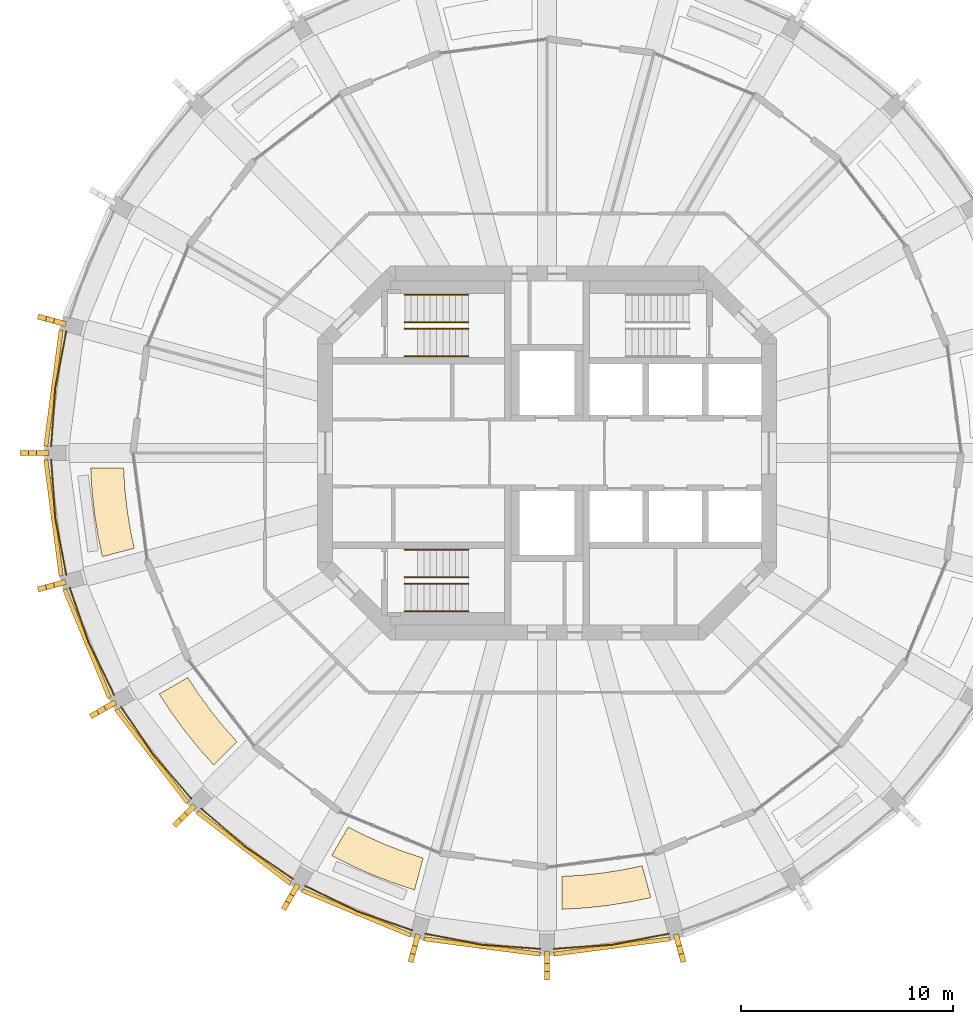
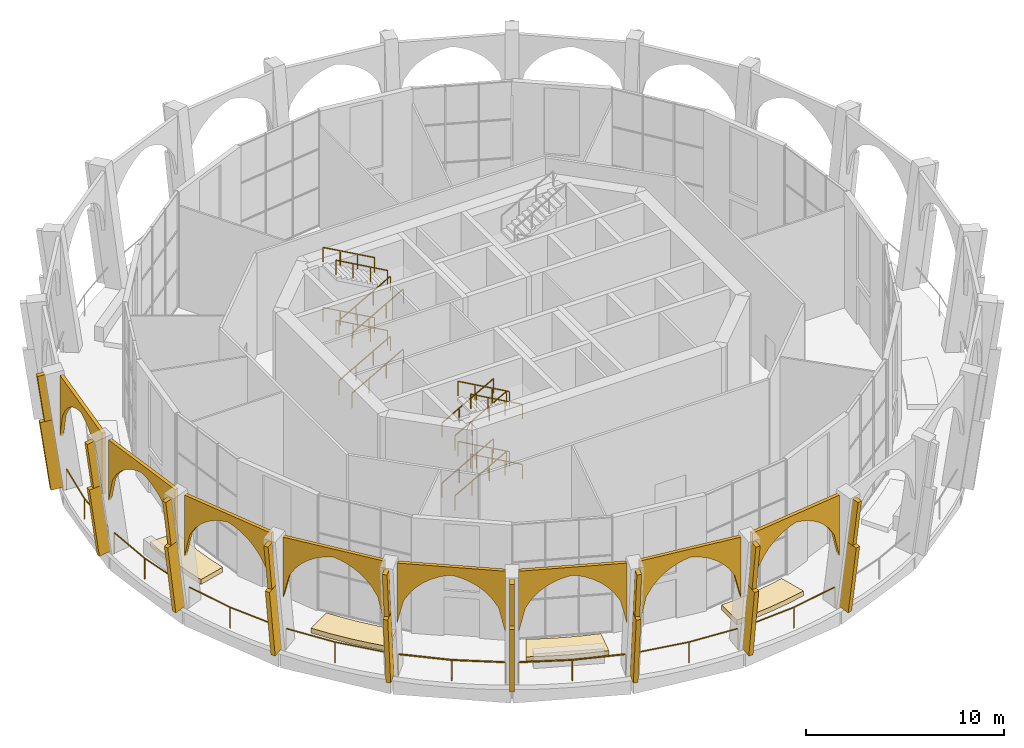
# One storey, part 14 of 16: 30 coverings, 24 railings.
"""IFC4 building model written with IfcOpenShell, lengths in metres."""

import ifcopenshell
import ifcopenshell.guid

model = None  # the IFC model being written
_history = None  # IfcOwnerHistory: only IFC2X3 demands one
_inside = {}  # id of a spatial element -> (the spatial element, [elements in it])
_under = {}  # id of a project, library or spatial element -> (it, [spatial elements below it])
_declared = {}  # id of a project -> (the project, [libraries it declares])
_typed = {}  # id of a type object -> (the type object, [elements of that type])
_made_of = {}  # id of a material, layer set ... -> (it, [elements and type objects made of it])


def new_model(schema):
    """Start an empty IFC model of exactly this schema.

    Asked for "IFC4X3", IfcOpenShell would pick the latest addendum, in which some entities
    have other attributes; the version numbers below select the first issue.
    IFC2X3 requires an IfcOwnerHistory on every rooted entity: one is made here for all.
    """
    global model, _history
    if schema == "IFC4X3":
        model = ifcopenshell.file(schema_version=(4, 3, 0, 0))
    else:
        model = ifcopenshell.file(schema=schema)
    _inside.clear()
    _under.clear()
    _declared.clear()
    _typed.clear()
    _made_of.clear()
    _history = None
    if model.schema == "IFC2X3":
        org = make("IfcOrganization", Name="unknown")
        user = make(
            "IfcPersonAndOrganization",
            ThePerson=make("IfcPerson", FamilyName="unknown"),
            TheOrganization=org,
        )
        app = make(
            "IfcApplication",
            ApplicationDeveloper=org,
            Version="unknown",
            ApplicationFullName="unknown",
            ApplicationIdentifier="unknown",
        )
        _history = make(
            "IfcOwnerHistory",
            OwningUser=user,
            OwningApplication=app,
            ChangeAction="ADDED",
            CreationDate=0,
        )
    return model


def make(cls, **values):
    """One entity of the class cls with the attributes given. An attribute that is None is left unset."""
    return model.create_entity(
        cls, **{name: value for name, value in values.items() if value is not None}
    )


def rooted(cls, **values):
    """An entity with a GlobalId (a new one), such as an element, a storey or a relation."""
    return make(cls, GlobalId=ifcopenshell.guid.new(), OwnerHistory=_history, **values)


def si_unit(unit_type, name, prefix=None):
    """IfcSIUnit, for example si_unit("LENGTHUNIT", "METRE", prefix="MILLI")."""
    return make("IfcSIUnit", UnitType=unit_type, Prefix=prefix, Name=name)


def assignment(units):
    """IfcUnitAssignment: the units of a project."""
    return None if units is None else make("IfcUnitAssignment", Units=units)


def point(xyz):
    """IfcCartesianPoint."""
    return None if xyz is None else make("IfcCartesianPoint", Coordinates=xyz)


def direction(xyz):
    """IfcDirection."""
    return None if xyz is None else make("IfcDirection", DirectionRatios=xyz)


def frame(location, z_axis=None, x_axis=None):
    """IfcAxis2Placement3D, a coordinate frame: its origin and axes. An axis left out is left unset."""
    return make(
        "IfcAxis2Placement3D",
        Location=point(location),
        Axis=direction(z_axis),
        RefDirection=direction(x_axis),
    )


def frame_2d(location, x_axis=None):
    """IfcAxis2Placement2D, a coordinate frame in the plane: its origin and x axis."""
    return make(
        "IfcAxis2Placement2D", Location=point(location), RefDirection=direction(x_axis)
    )


def origin():
    """The frame at (0, 0, 0) with its axes left unset."""
    return frame((0.0, 0.0, 0.0))


def origin_2d():
    """The frame at (0, 0) in the plane with its x axis left unset."""
    return frame_2d((0.0, 0.0))


def place(relative_to, where):
    """IfcLocalPlacement: puts the frame where relative to a parent placement (None: the world)."""
    return make(
        "IfcLocalPlacement", PlacementRelTo=relative_to, RelativePlacement=where
    )


def context(
    kind, dimensions, precision=None, world=None, true_north=None, identifier=None
):
    """IfcGeometricRepresentationContext, for example the 3D "Model" context."""
    return make(
        "IfcGeometricRepresentationContext",
        ContextIdentifier=identifier,
        ContextType=kind,
        CoordinateSpaceDimension=dimensions,
        Precision=precision,
        WorldCoordinateSystem=world,
        TrueNorth=true_north,
    )


def subcontext(parent, identifier, kind, view, scale=None):
    """IfcGeometricRepresentationSubContext, for example "Body" below "Model"."""
    return make(
        "IfcGeometricRepresentationSubContext",
        ContextIdentifier=identifier,
        ContextType=kind,
        ParentContext=parent,
        TargetScale=scale,
        TargetView=view,
    )


def project(units=None, contexts=None):
    """IfcProject with its units and contexts."""
    return rooted(
        "IfcProject",
        Name="project",
        RepresentationContexts=contexts,
        UnitsInContext=assignment(units),
    )


def spatial(cls, under=None, at=None, **own):
    """A site, building, storey or space (cls), placed at a placement, below another one or the project."""
    s = rooted(cls, ObjectPlacement=at, **own)
    if under is not None:
        _under.setdefault(under.id(), (under, []))[1].append(s)
    return s


def polyline(points):
    """IfcPolyline through the points."""
    return make("IfcPolyline", Points=[point(p) for p in points])


def profile(cls, at=None, kind="AREA", **sizes):
    """A parametric profile (cls). Its sizes go by their IFC names, for example OverallWidth=200.0."""
    return make(cls, ProfileType=kind, Position=at, **sizes)


def rectangle(**sizes):
    """IfcRectangleProfileDef."""
    return profile("IfcRectangleProfileDef", **sizes)


def outline(outer, holes=None, kind="AREA"):
    """IfcArbitraryClosedProfileDef: a profile drawn as a closed curve; with holes, ...WithVoids."""
    if holes is None:
        return make("IfcArbitraryClosedProfileDef", ProfileType=kind, OuterCurve=outer)
    return make(
        "IfcArbitraryProfileDefWithVoids",
        ProfileType=kind,
        OuterCurve=outer,
        InnerCurves=holes,
    )


def extrude(swept, where, along, depth):
    """IfcExtrudedAreaSolid: the profile swept, set in the frame where, extruded along a direction by depth."""
    return make(
        "IfcExtrudedAreaSolid",
        SweptArea=swept,
        Position=where,
        ExtrudedDirection=direction(along),
        Depth=depth,
    )


def shape(context_of_items, identifier, shape_type, items):
    """IfcShapeRepresentation: the items that make up one representation, for example the "Body"."""
    return make(
        "IfcShapeRepresentation",
        ContextOfItems=context_of_items,
        RepresentationIdentifier=identifier,
        RepresentationType=shape_type,
        Items=items,
    )


def material(Name=None, Category=None):
    """IfcMaterial."""
    return make("IfcMaterial", Name=Name, Category=Category)


def layer(
    of_material, thickness, ventilated=None, Name=None, Category=None, Priority=None
):
    """IfcMaterialLayer: one layer of a wall or slab, of a material (None: an air gap)."""
    return make(
        "IfcMaterialLayer",
        Material=of_material,
        LayerThickness=thickness,
        IsVentilated=ventilated,
        Name=Name,
        Category=Category,
        Priority=Priority,
    )


def layer_set(layers, Name=None):
    """IfcMaterialLayerSet."""
    return make("IfcMaterialLayerSet", MaterialLayers=layers, LayerSetName=Name)


def material_profile(
    of_material, cross_section, Name=None, Category=None, Priority=None
):
    """IfcMaterialProfile: a cross section and its material."""
    return make(
        "IfcMaterialProfile",
        Name=Name,
        Material=of_material,
        Profile=cross_section,
        Priority=Priority,
        Category=Category,
    )


def profile_set(profiles, Name=None, composite=None):
    """IfcMaterialProfileSet."""
    return make(
        "IfcMaterialProfileSet",
        Name=Name,
        MaterialProfiles=profiles,
        CompositeProfile=composite,
    )


def made_of(thing, what):
    """Note that an element or type object is made of a material, layer set ...; save() writes the relation."""
    if what is not None:
        _made_of.setdefault(what.id(), (what, []))[1].append(thing)
    return thing


def type_object(cls, material=None, **own):
    """A type object (cls), such as IfcWallType, which elements share."""
    return made_of(rooted(cls, **own), material)


def element(
    cls,
    number,
    at=None,
    inside=None,
    cuts=None,
    type_object=None,
    material=None,
    context=None,
    identifier="Body",
    shape_type=None,
    held_by="IfcProductDefinitionShape",
    body=None,
    shapes=None,
    **own,
):
    """One element of the class cls, such as IfcWall. Its Tag is "e" and its number.

    at: its placement. inside: the storey or other place that contains it. cuts: it is an
    opening in that element (IfcRelVoidsElement). A single representation is given by context,
    identifier, shape_type and body (its items); several are given by shapes. held_by: the class
    of the entity that holds the representations. save() writes the other relations.
    """
    e = rooted(cls, Tag="e%d" % number, ObjectPlacement=at, **own)
    if body is not None:
        shapes = [shape(context, identifier, shape_type, body)]
    if shapes is not None:
        e.Representation = make(held_by, Representations=shapes)
    if inside is not None:
        _inside.setdefault(inside.id(), (inside, []))[1].append(e)
    if cuts is not None:
        rooted(
            "IfcRelVoidsElement", RelatingBuildingElement=cuts, RelatedOpeningElement=e
        )
    if type_object is not None:
        _typed.setdefault(type_object.id(), (type_object, []))[1].append(e)
    return made_of(e, material)


def aggregate(whole, parts):
    """IfcRelAggregates: a whole, such as a stair, and the parts it consists of."""
    return rooted("IfcRelAggregates", RelatingObject=whole, RelatedObjects=parts)


def save(model, path):
    """Write the relations noted so far, then the file.

    IfcRelAggregates (storeys below a building ...), IfcRelContainedInSpatialStructure (elements
    in a storey), IfcRelDefinesByType, IfcRelAssociatesMaterial and IfcRelDeclares: one each for
    every whole, place, type object, material and project.
    """
    for whole, parts in _under.values():
        aggregate(whole, parts)
    for where, things in _inside.values():
        rooted(
            "IfcRelContainedInSpatialStructure",
            RelatedElements=things,
            RelatingStructure=where,
        )
    for kind, things in _typed.values():
        rooted("IfcRelDefinesByType", RelatedObjects=things, RelatingType=kind)
    for what, things in _made_of.values():
        rooted("IfcRelAssociatesMaterial", RelatedObjects=things, RelatingMaterial=what)
    for by, libraries in _declared.values():
        rooted("IfcRelDeclares", RelatingContext=by, RelatedDefinitions=libraries)
    model.write(path)


model = new_model("IFC4")

# Units and contexts
model_context = context("Model", 3, precision=1e-05, world=origin(), true_north=direction((0.0, 1.0)))
body_context = subcontext(model_context, "Body", "Model", "MODEL_VIEW")
ifc_project = project(units=[si_unit("LENGTHUNIT", "METRE"), si_unit("AREAUNIT", "SQUARE_METRE"), si_unit("VOLUMEUNIT", "CUBIC_METRE"), si_unit("PLANEANGLEUNIT", "RADIAN"), si_unit("MASSUNIT", "GRAM", prefix="KILO")], contexts=[model_context])

# Site, building, storey
site_placement = place(None, origin())
site = spatial("IfcSite", under=ifc_project, at=site_placement, CompositionType="ELEMENT")
building_placement = place(site_placement, origin())
building = spatial("IfcBuilding", under=site, at=building_placement, Name="Torre Triforio", CompositionType="ELEMENT")
storey_placement = place(building_placement, frame((0.0, 0.0, 218.699951171875)))
storey = spatial("IfcBuildingStorey", under=building, at=storey_placement, Name="L50", CompositionType="ELEMENT", Elevation=218.699951171875)

# Railings
ifc_material_1 = material(Name="Stainless steel AISI 316", Category="steel")
railing_type_1 = type_object("IfcRailingType", Name="HANDRAIL 920", PredefinedType="HANDRAIL", material=ifc_material_1)
for number, where, name in (
    (1, (-6.699951171875, 4.550048828125, 0.168212890625), "Handrail ST1"),
    (2, (-6.699951171875, 5.85009765625, 0.168212890625), "Handrail ST1"),
):
    element("IfcRailing", number, at=place(storey_placement, frame(where)), inside=storey, type_object=railing_type_1, Name=name, PredefinedType="HANDRAIL", context=body_context, shape_type="SweptSolid", body=[
        extrude(rectangle(XDim=0.048095703125, YDim=0.048095703125, at=origin_2d()), frame((0.0, 0.0, 0.89599609375), z_axis=(0.872272294576, 0.0, 0.489020494575), x_axis=(0.0, 1.0, 0.0)), (0.0, 0.0, 1.0), 3.439208984375),
        extrude(rectangle(XDim=0.0419921875, YDim=0.0419921875, at=origin_2d()), origin(), (0.0, 0.0, 1.0), 0.871826171875),
        extrude(rectangle(XDim=0.0419921875, YDim=0.0419921875, at=origin_2d()), frame((1.0, 0.0, 0.560546875)), (0.0, 0.0, 1.0), 0.871826171875),
        extrude(rectangle(XDim=0.0419921875, YDim=0.0419921875, at=origin_2d()), frame((2.0, 0.0, 1.121337890625)), (0.0, 0.0, 1.0), 0.871826171875),
        extrude(rectangle(XDim=0.0419921875, YDim=0.0419921875, at=origin_2d()), frame((3.0, 0.0, 1.681884765625)), (0.0, 0.0, 1.0), 0.871826171875),
    ])
for number, where, name in (
    (3, (-3.699951171875, 7.449951171875, 2.018310546875), "Handrail ST1"),
    (4, (-3.699951171875, 6.14990234375, 2.018310546875), "Handrail ST1"),
):
    element("IfcRailing", number, at=place(storey_placement, frame(where)), inside=storey, type_object=railing_type_1, Name=name, PredefinedType="HANDRAIL", context=body_context, shape_type="SweptSolid", body=[
        extrude(rectangle(XDim=0.048095703125, YDim=0.048095703125, at=origin_2d()), frame((0.0, 0.0, 0.89599609375), z_axis=(-0.872302573547, 0.0, 0.488966481656), x_axis=(0.0, -1.0, 0.0)), (0.0, 0.0, 1.0), 3.439208984375),
        extrude(rectangle(XDim=0.0419921875, YDim=0.0419921875, at=origin_2d()), origin(), (0.0, 0.0, 1.0), 0.871826171875),
        extrude(rectangle(XDim=0.0419921875, YDim=0.0419921875, at=origin_2d()), frame((-1.0, 0.0, 0.560546875)), (0.0, 0.0, 1.0), 0.871826171875),
        extrude(rectangle(XDim=0.0419921875, YDim=0.0419921875, at=origin_2d()), frame((-2.0, 0.0, 1.12109375)), (0.0, 0.0, 1.0), 0.871826171875),
        extrude(rectangle(XDim=0.0419921875, YDim=0.0419921875, at=origin_2d()), frame((-3.0, 0.0, 1.681640625)), (0.0, 0.0, 1.0), 0.871826171875),
    ])
for number, where, name in (
    (5, (-6.699951171875, 4.550048828125, 3.8681640625), "Handrail ST1"),
    (6, (-6.699951171875, 5.85009765625, 3.8681640625), "Handrail ST1"),
):
    element("IfcRailing", number, at=place(storey_placement, frame(where)), inside=storey, type_object=railing_type_1, Name=name, PredefinedType="HANDRAIL", context=body_context, shape_type="SweptSolid", body=[
        extrude(rectangle(XDim=0.048095703125, YDim=0.048095703125, at=origin_2d()), frame((0.0, 0.0, 0.89599609375), z_axis=(0.872272294576, 0.0, 0.489020494575), x_axis=(0.0, 1.0, 0.0)), (0.0, 0.0, 1.0), 3.439208984375),
        extrude(rectangle(XDim=0.0419921875, YDim=0.0419921875, at=origin_2d()), origin(), (0.0, 0.0, 1.0), 0.871826171875),
        extrude(rectangle(XDim=0.0419921875, YDim=0.0419921875, at=origin_2d()), frame((1.0, 0.0, 0.560546875)), (0.0, 0.0, 1.0), 0.871826171875),
        extrude(rectangle(XDim=0.0419921875, YDim=0.0419921875, at=origin_2d()), frame((2.0, 0.0, 1.121337890625)), (0.0, 0.0, 1.0), 0.871826171875),
        extrude(rectangle(XDim=0.0419921875, YDim=0.0419921875, at=origin_2d()), frame((3.0, 0.0, 1.681884765625)), (0.0, 0.0, 1.0), 0.871826171875),
    ])
for number, where, name in (
    (7, (-3.699951171875, 7.449951171875, 5.71826171875), "Handrail ST1"),
    (8, (-3.699951171875, 6.14990234375, 5.71826171875), "Handrail ST1"),
):
    element("IfcRailing", number, at=place(storey_placement, frame(where)), inside=storey, type_object=railing_type_1, Name=name, PredefinedType="HANDRAIL", context=body_context, shape_type="SweptSolid", body=[
        extrude(rectangle(XDim=0.048095703125, YDim=0.048095703125, at=origin_2d()), frame((0.0, 0.0, 0.89599609375), z_axis=(-0.872272294576, 0.0, 0.489020494575), x_axis=(0.0, -1.0, 0.0)), (0.0, 0.0, 1.0), 3.439208984375),
        extrude(rectangle(XDim=0.0419921875, YDim=0.0419921875, at=origin_2d()), origin(), (0.0, 0.0, 1.0), 0.871826171875),
        extrude(rectangle(XDim=0.0419921875, YDim=0.0419921875, at=origin_2d()), frame((-1.0, 0.0, 0.560546875)), (0.0, 0.0, 1.0), 0.871826171875),
        extrude(rectangle(XDim=0.0419921875, YDim=0.0419921875, at=origin_2d()), frame((-2.0, 0.0, 1.121337890625)), (0.0, 0.0, 1.0), 0.871826171875),
        extrude(rectangle(XDim=0.0419921875, YDim=0.0419921875, at=origin_2d()), frame((-3.0, 0.0, 1.681884765625)), (0.0, 0.0, 1.0), 0.871826171875),
    ])
for number, where, name in (
    (9, (-6.699951171875, -4.550048828125, 0.168212890625), "Handrail ST3"),
    (10, (-6.699951171875, -5.85009765625, 0.168212890625), "Handrail ST3"),
):
    element("IfcRailing", number, at=place(storey_placement, frame(where)), inside=storey, type_object=railing_type_1, Name=name, PredefinedType="HANDRAIL", context=body_context, shape_type="SweptSolid", body=[
        extrude(rectangle(XDim=0.048095703125, YDim=0.048095703125, at=origin_2d()), frame((0.0, 0.0, 0.89599609375), z_axis=(0.872272294576, 0.0, 0.489020494575), x_axis=(0.0, 1.0, 0.0)), (0.0, 0.0, 1.0), 3.439208984375),
        extrude(rectangle(XDim=0.0419921875, YDim=0.0419921875, at=origin_2d()), origin(), (0.0, 0.0, 1.0), 0.871826171875),
        extrude(rectangle(XDim=0.0419921875, YDim=0.0419921875, at=origin_2d()), frame((1.0, 0.0, 0.560546875)), (0.0, 0.0, 1.0), 0.871826171875),
        extrude(rectangle(XDim=0.0419921875, YDim=0.0419921875, at=origin_2d()), frame((2.0, 0.0, 1.121337890625)), (0.0, 0.0, 1.0), 0.871826171875),
        extrude(rectangle(XDim=0.0419921875, YDim=0.0419921875, at=origin_2d()), frame((3.0, 0.0, 1.681884765625)), (0.0, 0.0, 1.0), 0.871826171875),
    ])
for number, where, name in (
    (11, (-3.699951171875, -7.449951171875, 2.018310546875), "Handrail ST3"),
    (12, (-3.699951171875, -6.14990234375, 2.018310546875), "Handrail ST3"),
):
    element("IfcRailing", number, at=place(storey_placement, frame(where)), inside=storey, type_object=railing_type_1, Name=name, PredefinedType="HANDRAIL", context=body_context, shape_type="SweptSolid", body=[
        extrude(rectangle(XDim=0.048095703125, YDim=0.048095703125, at=origin_2d()), frame((0.0, 0.0, 0.89599609375), z_axis=(-0.872302573547, 0.0, 0.488966481656), x_axis=(0.0, -1.0, 0.0)), (0.0, 0.0, 1.0), 3.439208984375),
        extrude(rectangle(XDim=0.0419921875, YDim=0.0419921875, at=origin_2d()), origin(), (0.0, 0.0, 1.0), 0.871826171875),
        extrude(rectangle(XDim=0.0419921875, YDim=0.0419921875, at=origin_2d()), frame((-1.0, 0.0, 0.560546875)), (0.0, 0.0, 1.0), 0.871826171875),
        extrude(rectangle(XDim=0.0419921875, YDim=0.0419921875, at=origin_2d()), frame((-2.0, 0.0, 1.12109375)), (0.0, 0.0, 1.0), 0.871826171875),
        extrude(rectangle(XDim=0.0419921875, YDim=0.0419921875, at=origin_2d()), frame((-3.0, 0.0, 1.681640625)), (0.0, 0.0, 1.0), 0.871826171875),
    ])
for number, where, name in (
    (13, (-6.699951171875, -4.550048828125, 3.8681640625), "Handrail ST3"),
    (14, (-6.699951171875, -5.85009765625, 3.8681640625), "Handrail ST3"),
):
    element("IfcRailing", number, at=place(storey_placement, frame(where)), inside=storey, type_object=railing_type_1, Name=name, PredefinedType="HANDRAIL", context=body_context, shape_type="SweptSolid", body=[
        extrude(rectangle(XDim=0.048095703125, YDim=0.048095703125, at=origin_2d()), frame((0.0, 0.0, 0.89599609375), z_axis=(0.872272294576, 0.0, 0.489020494575), x_axis=(0.0, 1.0, 0.0)), (0.0, 0.0, 1.0), 3.439208984375),
        extrude(rectangle(XDim=0.0419921875, YDim=0.0419921875, at=origin_2d()), origin(), (0.0, 0.0, 1.0), 0.871826171875),
        extrude(rectangle(XDim=0.0419921875, YDim=0.0419921875, at=origin_2d()), frame((1.0, 0.0, 0.560546875)), (0.0, 0.0, 1.0), 0.871826171875),
        extrude(rectangle(XDim=0.0419921875, YDim=0.0419921875, at=origin_2d()), frame((2.0, 0.0, 1.121337890625)), (0.0, 0.0, 1.0), 0.871826171875),
        extrude(rectangle(XDim=0.0419921875, YDim=0.0419921875, at=origin_2d()), frame((3.0, 0.0, 1.681884765625)), (0.0, 0.0, 1.0), 0.871826171875),
    ])
for number, where, name in (
    (15, (-3.699951171875, -7.449951171875, 5.71826171875), "Handrail ST3"),
    (16, (-3.699951171875, -6.14990234375, 5.71826171875), "Handrail ST3"),
):
    element("IfcRailing", number, at=place(storey_placement, frame(where)), inside=storey, type_object=railing_type_1, Name=name, PredefinedType="HANDRAIL", context=body_context, shape_type="SweptSolid", body=[
        extrude(rectangle(XDim=0.048095703125, YDim=0.048095703125, at=origin_2d()), frame((0.0, 0.0, 0.89599609375), z_axis=(-0.872272294576, 0.0, 0.489020494575), x_axis=(0.0, -1.0, 0.0)), (0.0, 0.0, 1.0), 3.439208984375),
        extrude(rectangle(XDim=0.0419921875, YDim=0.0419921875, at=origin_2d()), origin(), (0.0, 0.0, 1.0), 0.871826171875),
        extrude(rectangle(XDim=0.0419921875, YDim=0.0419921875, at=origin_2d()), frame((-1.0, 0.0, 0.560546875)), (0.0, 0.0, 1.0), 0.871826171875),
        extrude(rectangle(XDim=0.0419921875, YDim=0.0419921875, at=origin_2d()), frame((-2.0, 0.0, 1.121337890625)), (0.0, 0.0, 1.0), 0.871826171875),
        extrude(rectangle(XDim=0.0419921875, YDim=0.0419921875, at=origin_2d()), frame((-3.0, 0.0, 1.681884765625)), (0.0, 0.0, 1.0), 0.871826171875),
    ])

# Coverings
ifc_material_2 = material(Name="Limestone arch panel", Category="masonry")
ifc_layer_1 = layer(ifc_material_2, 0.199951171875)
ifc_layer_set_1 = layer_set([ifc_layer_1], Name="Limestone arch panel")
covering_type_1 = type_object("IfcCoveringType", Name="Lancet arch cladding panel 200", PredefinedType="CLADDING", material=ifc_layer_set_1)
for number, where, z_axis, x_axis, name in (
    (17, (-23.14013671875, 3.04638671875, 0.0), (-0.991429342672, 0.130644014367, 0.0), (-0.130644014367, -0.991429342672, 0.0), "Lancet arch panel L50 bay 12"),
    (18, (-23.14013671875, -3.04638671875, 0.0), (-0.991429342672, -0.130644014367, 0.0), (0.130644014367, -0.991429342672, 0.0), "Lancet arch panel L50 bay 13"),
    (19, (-21.563232421875, -8.931884765625, 0.0), (-0.924120904221, -0.382100188932, 0.0), (0.382100188932, -0.924120904221, 0.0), "Lancet arch panel L50 bay 14"),
):
    element("IfcCovering", number, at=place(storey_placement, frame(where, z_axis=z_axis, x_axis=x_axis)), inside=storey, type_object=covering_type_1, Name=name, PredefinedType="CLADDING", context=body_context, shape_type="SweptSolid", body=[
        extrude(outline(polyline([(-2.76318359375, 7.1201171875), (-2.76318359375, 3.359619140625), (-2.417724609375, 4.83056640625), (-2.072509765625, 5.381591796875), (-1.72705078125, 5.7626953125), (-1.381591796875, 6.04736328125), (-1.0361328125, 6.263671875), (-0.69091796875, 6.42626953125), (-0.345458984375, 6.54345703125), (0.0, 6.6201171875), (0.345458984375, 6.54345703125), (0.69091796875, 6.42626953125), (1.0361328125, 6.263671875), (1.381591796875, 6.04736328125), (1.72705078125, 5.7626953125), (2.072509765625, 5.381591796875), (2.417724609375, 4.83056640625), (2.76318359375, 3.359619140625), (2.76318359375, 7.1201171875), (-2.76318359375, 7.1201171875)])), origin(), (0.0, 0.0, 1.0), 0.199951171875),
    ])
for number, where, z_axis, x_axis, name in (
    (20, (-18.516845703125, -14.20849609375, 0.0), (-0.793350515415, -0.608765110442, 0.0), (0.608765110442, -0.793350515415, 0.0), "Lancet arch panel L50 bay 15"),
    (21, (-14.20849609375, -18.516845703125, 0.0), (-0.608765110442, -0.793350515415, 0.0), (0.793350515415, -0.608765110442, 0.0), "Lancet arch panel L50 bay 16"),
):
    element("IfcCovering", number, at=place(storey_placement, frame(where, z_axis=z_axis, x_axis=x_axis)), inside=storey, type_object=covering_type_1, Name=name, PredefinedType="CLADDING", context=body_context, shape_type="SweptSolid", body=[
        extrude(outline(polyline([(-2.76318359375, 7.1201171875), (-2.76318359375, 3.359619140625), (-2.417724609375, 4.83056640625), (-2.072509765625, 5.381591796875), (-1.72705078125, 5.7626953125), (-1.381591796875, 6.04736328125), (-1.0361328125, 6.263671875), (-0.69091796875, 6.42626953125), (-0.345458984375, 6.54345703125), (0.0, 6.6201171875), (0.345458984375, 6.54345703125), (0.69091796875, 6.42626953125), (1.0361328125, 6.263671875), (1.381591796875, 6.04736328125), (1.72705078125, 5.7626953125), (2.072509765625, 5.381591796875), (2.417724609375, 4.83056640625), (2.76318359375, 3.359619140625), (2.76318359375, 7.1201171875), (-2.76318359375, 7.1201171875)])), origin(), (0.0, 0.0, 1.0), 0.19970703125),
    ])
for number, where, z_axis, x_axis, name in (
    (22, (-8.931884765625, -21.563232421875, 0.0), (-0.382100188932, -0.924120904221, 0.0), (0.924120904221, -0.382100188932, 0.0), "Lancet arch panel L50 bay 17"),
    (23, (-3.04638671875, -23.14013671875, 0.0), (-0.130644014367, -0.991429342672, 0.0), (0.991429342672, -0.130644014367, 0.0), "Lancet arch panel L50 bay 18"),
    (24, (3.04638671875, -23.14013671875, 0.0), (0.130644014367, -0.991429342672, 0.0), (0.991429342672, 0.130644014367, 0.0), "Lancet arch panel L50 bay 19"),
):
    element("IfcCovering", number, at=place(storey_placement, frame(where, z_axis=z_axis, x_axis=x_axis)), inside=storey, type_object=covering_type_1, Name=name, PredefinedType="CLADDING", context=body_context, shape_type="SweptSolid", body=[
        extrude(outline(polyline([(-2.76318359375, 7.1201171875), (-2.76318359375, 3.359619140625), (-2.417724609375, 4.83056640625), (-2.072509765625, 5.381591796875), (-1.72705078125, 5.7626953125), (-1.381591796875, 6.04736328125), (-1.0361328125, 6.263671875), (-0.69091796875, 6.42626953125), (-0.345458984375, 6.54345703125), (0.0, 6.6201171875), (0.345458984375, 6.54345703125), (0.69091796875, 6.42626953125), (1.0361328125, 6.263671875), (1.381591796875, 6.04736328125), (1.72705078125, 5.7626953125), (2.072509765625, 5.381591796875), (2.417724609375, 4.83056640625), (2.76318359375, 3.359619140625), (2.76318359375, 7.1201171875), (-2.76318359375, 7.1201171875)])), origin(), (0.0, 0.0, 1.0), 0.199951171875),
    ])

# Railings
railing_type_2 = type_object("IfcRailingType", Name="Loggia guard 1300", PredefinedType="GUARDRAIL", material=ifc_material_1)
railing_1_placement = place(storey_placement, frame((-22.63720703125, 5.734375, 0.0)))
element("IfcRailing", 25, at=railing_1_placement, inside=storey, type_object=railing_type_2, Name="Loggia guard L50 bay 12", PredefinedType="GUARDRAIL", context=body_context, shape_type="SweptSolid", body=[
    extrude(rectangle(XDim=0.050048828125, YDim=0.050048828125, at=origin_2d()), frame((0.0, 0.0, 1.27490234375), z_axis=(-0.187542781797, -0.982256435457, 0.0), x_axis=(0.982256435457, -0.187542781797, 0.0)), (0.0, 0.0, 1.0), 2.735107421875),
    extrude(rectangle(XDim=0.050048828125, YDim=0.050048828125, at=origin_2d()), frame((-0.512939453125, -2.6865234375, 1.27490234375), z_axis=(-0.073105569346, -0.997324207934, 0.0), x_axis=(0.997324207934, -0.073105569346, 0.0)), (0.0, 0.0, 1.0), 2.735107421875),
    extrude(rectangle(XDim=0.0400390625, YDim=0.0400390625, at=origin_2d()), origin(), (0.0, 0.0, 1.0), 1.25),
    extrude(rectangle(XDim=0.0400390625, YDim=0.0400390625, at=origin_2d()), frame((-0.512939453125, -2.6865234375, 0.0)), (0.0, 0.0, 1.0), 1.25),
    extrude(rectangle(XDim=0.0400390625, YDim=0.0400390625, at=origin_2d()), frame((-0.712890625, -5.414306640625, 0.0)), (0.0, 0.0, 1.0), 1.25),
])
railing_2_placement = place(storey_placement, frame((-23.35009765625, -0.320068359375, 0.0)))
element("IfcRailing", 26, at=railing_2_placement, inside=storey, type_object=railing_type_2, Name="Loggia guard L50 bay 13", PredefinedType="GUARDRAIL", context=body_context, shape_type="SweptSolid", body=[
    extrude(rectangle(XDim=0.050048828125, YDim=0.050048828125, at=origin_2d()), frame((0.0, 0.0, 1.27490234375), z_axis=(0.073105569346, -0.997324207934, 0.0), x_axis=(0.997324207934, 0.073105569346, 0.0)), (0.0, 0.0, 1.0), 2.735107421875),
    extrude(rectangle(XDim=0.050048828125, YDim=0.050048828125, at=origin_2d()), frame((0.199951171875, -2.727783203125, 1.27490234375), z_axis=(0.187542781797, -0.982256435457, 0.0), x_axis=(0.982256435457, 0.187542781797, 0.0)), (0.0, 0.0, 1.0), 2.735107421875),
    extrude(rectangle(XDim=0.0400390625, YDim=0.0400390625, at=origin_2d()), origin(), (0.0, 0.0, 1.0), 1.25),
    extrude(rectangle(XDim=0.0400390625, YDim=0.0400390625, at=origin_2d()), frame((0.199951171875, -2.727783203125, 0.0)), (0.0, 0.0, 1.0), 1.25),
    extrude(rectangle(XDim=0.0400390625, YDim=0.0400390625, at=origin_2d()), frame((0.712890625, -5.414306640625, 0.0)), (0.0, 0.0, 1.0), 1.25),
])
railing_3_placement = place(storey_placement, frame((-22.471435546875, -6.3525390625, 0.0)))
element("IfcRailing", 27, at=railing_3_placement, inside=storey, type_object=railing_type_2, Name="Loggia guard L50 bay 14", PredefinedType="GUARDRAIL", context=body_context, shape_type="SweptSolid", body=[
    extrude(rectangle(XDim=0.050048828125, YDim=0.050048828125, at=origin_2d()), frame((0.0, 0.0, 1.27490234375), z_axis=(0.328652177394, -0.944451029061, 0.0), x_axis=(0.944451029061, 0.328652177394, 0.0)), (0.0, 0.0, 1.0), 2.735107421875),
    extrude(rectangle(XDim=0.050048828125, YDim=0.050048828125, at=origin_2d()), frame((0.89892578125, -2.583251953125, 1.27490234375), z_axis=(0.435427931096, -0.900223592682, 0.0), x_axis=(0.900223592682, 0.435427931096, 0.0)), (0.0, 0.0, 1.0), 2.735107421875),
    extrude(rectangle(XDim=0.0400390625, YDim=0.0400390625, at=origin_2d()), origin(), (0.0, 0.0, 1.0), 1.25),
    extrude(rectangle(XDim=0.0400390625, YDim=0.0400390625, at=origin_2d()), frame((0.89892578125, -2.583251953125, 0.0)), (0.0, 0.0, 1.0), 1.25),
    extrude(rectangle(XDim=0.0400390625, YDim=0.0400390625, at=origin_2d()), frame((2.08984375, -5.04541015625, 0.0)), (0.0, 0.0, 1.0), 1.25),
])
railing_4_placement = place(storey_placement, frame((-20.061767578125, -11.9521484375, 0.0)))
element("IfcRailing", 28, at=railing_4_placement, inside=storey, type_object=railing_type_2, Name="Loggia guard L50 bay 15", PredefinedType="GUARDRAIL", context=body_context, shape_type="SweptSolid", body=[
    extrude(rectangle(XDim=0.050048828125, YDim=0.050048828125, at=origin_2d()), frame((0.0, 0.0, 1.27490234375), z_axis=(0.561909542334, -0.827198686069, 0.0), x_axis=(0.827198686069, 0.561909542334, 0.0)), (0.0, 0.0, 1.0), 2.735107421875),
    extrude(rectangle(XDim=0.050048828125, YDim=0.050048828125, at=origin_2d()), frame((1.536865234375, -2.262451171875, 1.27490234375), z_axis=(0.653580361536, -0.756857127214, 0.0), x_axis=(0.756857127214, 0.653580361536, 0.0)), (0.0, 0.0, 1.0), 2.735107421875),
    extrude(rectangle(XDim=0.0400390625, YDim=0.0400390625, at=origin_2d()), origin(), (0.0, 0.0, 1.0), 1.25),
    extrude(rectangle(XDim=0.0400390625, YDim=0.0400390625, at=origin_2d()), frame((1.536865234375, -2.262451171875, 0.0)), (0.0, 0.0, 1.0), 1.25),
    extrude(rectangle(XDim=0.0400390625, YDim=0.0400390625, at=origin_2d()), frame((3.324462890625, -4.33251953125, 0.0)), (0.0, 0.0, 1.0), 1.25),
])
railing_5_placement = place(storey_placement, frame((-16.28466796875, -16.7373046875, 0.0)))
element("IfcRailing", 29, at=railing_5_placement, inside=storey, type_object=railing_type_2, Name="Loggia guard L50 bay 16", PredefinedType="GUARDRAIL", context=body_context, shape_type="SweptSolid", body=[
    extrude(rectangle(XDim=0.050048828125, YDim=0.050048828125, at=origin_2d()), frame((0.0, 0.0, 1.27490234375), z_axis=(0.756857127214, -0.653580361536, 0.0), x_axis=(0.653580361536, 0.756857127214, 0.0)), (0.0, 0.0, 1.0), 2.735107421875),
    extrude(rectangle(XDim=0.050048828125, YDim=0.050048828125, at=origin_2d()), frame((2.070068359375, -1.78759765625, 1.27490234375), z_axis=(0.827198686069, -0.561909542334, 0.0), x_axis=(0.561909542334, 0.827198686069, 0.0)), (0.0, 0.0, 1.0), 2.735107421875),
    extrude(rectangle(XDim=0.0400390625, YDim=0.0400390625, at=origin_2d()), origin(), (0.0, 0.0, 1.0), 1.25),
    extrude(rectangle(XDim=0.0400390625, YDim=0.0400390625, at=origin_2d()), frame((2.070068359375, -1.78759765625, 0.0)), (0.0, 0.0, 1.0), 1.25),
    extrude(rectangle(XDim=0.0400390625, YDim=0.0400390625, at=origin_2d()), frame((4.33251953125, -3.324462890625, 0.0)), (0.0, 0.0, 1.0), 1.25),
])
railing_6_placement = place(storey_placement, frame((-11.39794921875, -20.381591796875, 0.0)))
element("IfcRailing", 30, at=railing_6_placement, inside=storey, type_object=railing_type_2, Name="Loggia guard L50 bay 17", PredefinedType="GUARDRAIL", context=body_context, shape_type="SweptSolid", body=[
    extrude(rectangle(XDim=0.050048828125, YDim=0.050048828125, at=origin_2d()), frame((0.0, 0.0, 1.27490234375), z_axis=(0.900223592682, -0.435427931096, 0.0), x_axis=(0.435427931096, 0.900223592682, 0.0)), (0.0, 0.0, 1.0), 2.735107421875),
    extrude(rectangle(XDim=0.050048828125, YDim=0.050048828125, at=origin_2d()), frame((2.462158203125, -1.19091796875, 1.27490234375), z_axis=(0.944451029061, -0.328652177394, 0.0), x_axis=(0.328652177394, 0.944451029061, 0.0)), (0.0, 0.0, 1.0), 2.735107421875),
    extrude(rectangle(XDim=0.0400390625, YDim=0.0400390625, at=origin_2d()), origin(), (0.0, 0.0, 1.0), 1.25),
    extrude(rectangle(XDim=0.0400390625, YDim=0.0400390625, at=origin_2d()), frame((2.462158203125, -1.19091796875, 0.0)), (0.0, 0.0, 1.0), 1.25),
    extrude(rectangle(XDim=0.0400390625, YDim=0.0400390625, at=origin_2d()), frame((5.04541015625, -2.08984375, 0.0)), (0.0, 0.0, 1.0), 1.25),
])
railing_7_placement = place(storey_placement, frame((-5.734375, -22.63720703125, 0.0)))
element("IfcRailing", 31, at=railing_7_placement, inside=storey, type_object=railing_type_2, Name="Loggia guard L50 bay 18", PredefinedType="GUARDRAIL", context=body_context, shape_type="SweptSolid", body=[
    extrude(rectangle(XDim=0.050048828125, YDim=0.050048828125, at=origin_2d()), frame((0.0, 0.0, 1.27490234375), z_axis=(0.982256435457, -0.187542781797, 0.0), x_axis=(0.187542781797, 0.982256435457, 0.0)), (0.0, 0.0, 1.0), 2.735107421875),
    extrude(rectangle(XDim=0.050048828125, YDim=0.050048828125, at=origin_2d()), frame((2.6865234375, -0.512939453125, 1.27490234375), z_axis=(0.997324207934, -0.073105569346, 0.0), x_axis=(0.073105569346, 0.997324207934, 0.0)), (0.0, 0.0, 1.0), 2.735107421875),
    extrude(rectangle(XDim=0.0400390625, YDim=0.0400390625, at=origin_2d()), origin(), (0.0, 0.0, 1.0), 1.25),
    extrude(rectangle(XDim=0.0400390625, YDim=0.0400390625, at=origin_2d()), frame((2.6865234375, -0.512939453125, 0.0)), (0.0, 0.0, 1.0), 1.25),
    extrude(rectangle(XDim=0.0400390625, YDim=0.0400390625, at=origin_2d()), frame((5.414306640625, -0.712890625, 0.0)), (0.0, 0.0, 1.0), 1.25),
])
railing_8_placement = place(storey_placement, frame((0.320068359375, -23.35009765625, 0.0)))
element("IfcRailing", 32, at=railing_8_placement, inside=storey, type_object=railing_type_2, Name="Loggia guard L50 bay 19", PredefinedType="GUARDRAIL", context=body_context, shape_type="SweptSolid", body=[
    extrude(rectangle(XDim=0.050048828125, YDim=0.050048828125, at=origin_2d()), frame((0.0, 0.0, 1.27490234375), z_axis=(0.997324207934, 0.073105569346, 0.0), x_axis=(-0.073105569346, 0.997324207934, 0.0)), (0.0, 0.0, 1.0), 2.735107421875),
    extrude(rectangle(XDim=0.050048828125, YDim=0.050048828125, at=origin_2d()), frame((2.727783203125, 0.199951171875, 1.27490234375), z_axis=(0.982256435457, 0.187542781797, 0.0), x_axis=(-0.187542781797, 0.982256435457, 0.0)), (0.0, 0.0, 1.0), 2.735107421875),
    extrude(rectangle(XDim=0.0400390625, YDim=0.0400390625, at=origin_2d()), origin(), (0.0, 0.0, 1.0), 1.25),
    extrude(rectangle(XDim=0.0400390625, YDim=0.0400390625, at=origin_2d()), frame((2.727783203125, 0.199951171875, 0.0)), (0.0, 0.0, 1.0), 1.25),
    extrude(rectangle(XDim=0.0400390625, YDim=0.0400390625, at=origin_2d()), frame((5.414306640625, 0.712890625, 0.0)), (0.0, 0.0, 1.0), 1.25),
])

# Coverings
ifc_material_3 = material(Name="Planted topsoil bed")
ifc_layer_2 = layer(ifc_material_3, 0.300048828125)
ifc_layer_set_2 = layer_set([ifc_layer_2], Name="Planted topsoil bed")
covering_type_2 = type_object("IfcCoveringType", Name="Planted bed 300", PredefinedType="FLOORING", material=ifc_layer_set_2)
covering_1_placement = place(storey_placement, origin())
element("IfcCovering", 33, at=covering_1_placement, inside=storey, type_object=covering_type_2, Name="Sky garden L50 planted bed 13", PredefinedType="FLOORING", context=body_context, shape_type="SweptSolid", body=[
    extrude(outline(polyline([(-19.937744140625, -0.69970703125), (-19.88134765625, -1.65380859375), (-19.779296875, -2.60400390625), (-19.6318359375, -3.54833984375), (-19.439453125, -4.484619140625), (-20.9375, -4.885986328125), (-21.15234375, -3.8505859375), (-21.316162109375, -2.806396484375), (-21.42822265625, -1.755126953125), (-21.488525390625, -0.69970703125), (-19.937744140625, -0.69970703125)])), origin(), (0.0, 0.0, 1.0), 0.300048828125),
])
covering_2_placement = place(storey_placement, origin())
element("IfcCovering", 34, at=covering_2_placement, inside=storey, type_object=covering_type_2, Name="Sky garden L50 planted bed 15", PredefinedType="FLOORING", context=body_context, shape_type="SweptSolid", body=[
    extrude(outline(polyline([(-16.916748046875, -10.57470703125), (-16.390869140625, -11.372802734375), (-15.827392578125, -12.144775390625), (-15.2275390625, -12.888916015625), (-14.5927734375, -13.603515625), (-15.689453125, -14.699951171875), (-16.39306640625, -13.910888671875), (-17.05712890625, -13.08837890625), (-17.679931640625, -12.234130859375), (-18.260009765625, -11.35009765625), (-16.916748046875, -10.57470703125)])), origin(), (0.0, 0.0, 1.0), 0.300048828125),
])
covering_3_placement = place(storey_placement, origin())
element("IfcCovering", 35, at=covering_3_placement, inside=storey, type_object=covering_type_2, Name="Sky garden L50 planted bed 17", PredefinedType="FLOORING", context=body_context, shape_type="SweptSolid", body=[
    extrude(outline(polyline([(-9.363037109375, -17.616455078125), (-8.508544921875, -18.044677734375), (-7.634521484375, -18.431396484375), (-6.742919921875, -18.77587890625), (-5.8359375, -19.077392578125), (-6.237548828125, -20.5751953125), (-7.2412109375, -20.243896484375), (-8.227783203125, -19.86328125), (-9.194091796875, -19.43505859375), (-10.138427734375, -18.95947265625), (-9.363037109375, -17.616455078125)])), origin(), (0.0, 0.0, 1.0), 0.300048828125),
])
covering_4_placement = place(storey_placement, origin())
element("IfcCovering", 36, at=covering_4_placement, inside=storey, type_object=covering_type_2, Name="Sky garden L50 planted bed 19", PredefinedType="FLOORING", context=body_context, shape_type="SweptSolid", body=[
    extrude(outline(polyline([(0.69970703125, -19.937744140625), (1.65380859375, -19.88134765625), (2.60400390625, -19.779296875), (3.54833984375, -19.6318359375), (4.484619140625, -19.439453125), (4.885986328125, -20.9375), (3.8505859375, -21.15234375), (2.806396484375, -21.316162109375), (1.755126953125, -21.42822265625), (0.69970703125, -21.488525390625), (0.69970703125, -19.937744140625)])), origin(), (0.0, 0.0, 1.0), 0.300048828125),
])
ifc_material_4 = material(Name="Limestone fin", Category="masonry")
ifc_material_profile_1 = material_profile(ifc_material_4, rectangle(XDim=0.39990234375, YDim=0.25, at=origin_2d()), Name="FIN 400x250")
ifc_profile_set_1 = profile_set([ifc_material_profile_1], Name="Limestone fin")
covering_type_3 = type_object("IfcCoveringType", Name="Stone fin 400 x 250", PredefinedType="CLADDING", material=ifc_profile_set_1)
for number, where, z_axis, x_axis, name in (
    (37, (-23.407470703125, 6.27197265625, 4.27197265625), (-0.129374057116, 0.034658316023, 0.990989987071), (0.957236431377, -0.256436286278, 0.133935975466), "Stone fin C12 L50 upper"),
    (38, (-24.233154296875, 0.0, 4.27197265625), (-0.133960734783, 0.0, 0.990986640443), (0.990986640443, 0.0, 0.133960734783), "Stone fin C13 L50 upper"),
    (39, (-23.407470703125, -6.27197265625, 4.27197265625), (-0.129374057116, -0.034658316023, 0.990989987071), (0.957236431377, 0.256436286278, 0.133935975466), "Stone fin C14 L50 upper"),
    (40, (-20.986572265625, -12.11669921875, 4.27197265625), (-0.115953217428, -0.066938560684, 0.990996508804), (0.85825078026, 0.495459058495, 0.133887712425), "Stone fin C15 L50 upper"),
    (41, (-17.135498046875, -17.135498046875, 4.27197265625), (-0.094715584921, -0.094715584921, 0.990988353083), (0.700734584542, 0.700734584542, 0.133948064763), "Stone fin C16 L50 upper"),
    (42, (-12.11669921875, -20.986572265625, 4.27197265625), (-0.066938560684, -0.115953217428, 0.990996508804), (0.495459058495, 0.85825078026, 0.133887712425), "Stone fin C17 L50 upper"),
    (43, (-6.27197265625, -23.407470703125, 4.27197265625), (-0.034658316023, -0.129374057116, 0.990989987071), (0.256436286278, 0.957236431377, 0.133935975466), "Stone fin C18 L50 upper"),
    (44, (0.0, -24.233154296875, 4.27197265625), (0.0, -0.133960734783, 0.990986640443), (0.0, 0.990986640443, 0.133960734783), "Stone fin C19 L50 upper"),
    (45, (6.27197265625, -23.407470703125, 4.27197265625), (0.034658316023, -0.129374057116, 0.990989987071), (-0.256436286278, 0.957236431377, 0.133935975466), "Stone fin C20 L50 upper"),
):
    element("IfcCovering", number, at=place(storey_placement, frame(where, z_axis=z_axis, x_axis=x_axis)), inside=storey, type_object=covering_type_3, Name=name, PredefinedType="CLADDING", context=body_context, shape_type="SweptSolid", body=[
        extrude(rectangle(XDim=0.39990234375, YDim=0.25, at=origin_2d()), origin(), (0.0, 0.0, 1.0), 2.8740234375),
    ])
ifc_material_profile_2 = material_profile(ifc_material_4, rectangle(XDim=0.64990234375, YDim=0.25, at=origin_2d()), Name="FIN 650x250")
ifc_profile_set_2 = profile_set([ifc_material_profile_2], Name="Limestone fin")
covering_type_4 = type_object("IfcCoveringType", Name="Stone fin 650 x 250", PredefinedType="CLADDING", material=ifc_profile_set_2)
for number, where, z_axis, x_axis, name in (
    (46, (-22.9716796875, 6.1552734375, 0.0), (-0.129353474776, 0.034660388162, 0.990992601413), (0.957224923604, -0.2564893403, 0.133916630573), "Stone fin C12 L50"),
    (47, (-23.781982421875, 0.0, 0.0), (-0.133940444111, 0.0, 0.990989383107), (0.990989383107, 0.0, 0.133940444111), "Stone fin C13 L50"),
    (48, (-22.9716796875, -6.1552734375, 0.0), (-0.129353474776, -0.034660388162, 0.990992601413), (0.957224923604, 0.2564893403, 0.133916630573), "Stone fin C14 L50"),
    (49, (-20.595947265625, -11.89111328125, 0.0), (-0.115931788528, -0.066942537391, 0.990998747273), (0.858200316394, 0.495550939901, 0.133871142909), "Stone fin C15 L50"),
    (50, (-16.81640625, -16.81640625, 0.0), (-0.094693091473, -0.094693091473, 0.990992652271), (0.700737624527, 0.700737624527, 0.133916254224), "Stone fin C16 L50"),
    (51, (-11.89111328125, -20.595947265625, 0.0), (-0.066942537391, -0.115931788528, 0.990998747273), (0.495550939901, 0.858200316394, 0.133871142909), "Stone fin C17 L50"),
    (52, (-6.1552734375, -22.9716796875, 0.0), (-0.034660388162, -0.129353474776, 0.990992601413), (0.2564893403, 0.957224923604, 0.133916630573), "Stone fin C18 L50"),
    (53, (0.0, -23.781982421875, 0.0), (0.0, -0.133940444111, 0.990989383107), (0.0, 0.990989383107, 0.133940444111), "Stone fin C19 L50"),
    (54, (6.1552734375, -22.9716796875, 0.0), (0.034660388162, -0.129353474776, 0.990992601413), (-0.2564893403, 0.957224923604, 0.133916630573), "Stone fin C20 L50"),
):
    element("IfcCovering", number, at=place(storey_placement, frame(where, z_axis=z_axis, x_axis=x_axis)), inside=storey, type_object=covering_type_4, Name=name, PredefinedType="CLADDING", context=body_context, shape_type="SweptSolid", body=[
        extrude(rectangle(XDim=0.64990234375, YDim=0.25, at=origin_2d()), origin(), (0.0, 0.0, 1.0), 4.310791015625),
    ])

save(model, "model.ifc")
